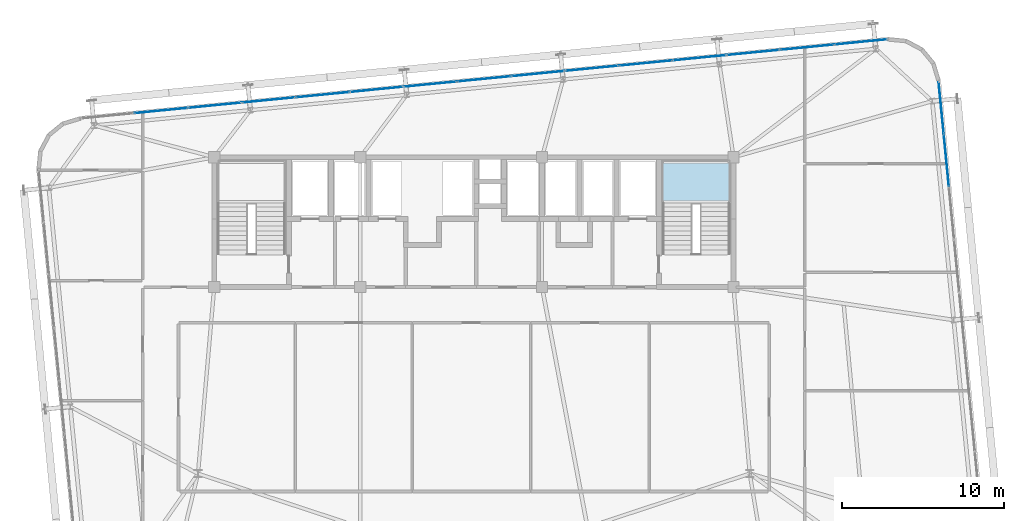
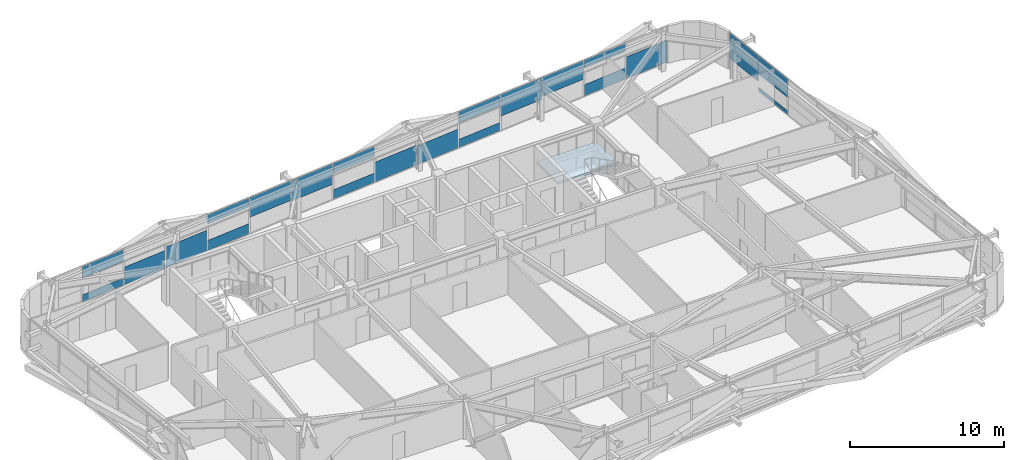
# One storey, part 37 of 52: 22 plates, 1 slab, 3 elements without a shape of their own.
"""IFC4 building model written with IfcOpenShell, lengths in metres."""

import ifcopenshell
import ifcopenshell.guid

model = None  # the IFC model being written
_history = None  # IfcOwnerHistory: only IFC2X3 demands one
_inside = {}  # id of a spatial element -> (the spatial element, [elements in it])
_under = {}  # id of a project, library or spatial element -> (it, [spatial elements below it])
_declared = {}  # id of a project -> (the project, [libraries it declares])
_typed = {}  # id of a type object -> (the type object, [elements of that type])
_made_of = {}  # id of a material, layer set ... -> (it, [elements and type objects made of it])


def new_model(schema):
    """Start an empty IFC model of exactly this schema.

    Asked for "IFC4X3", IfcOpenShell would pick the latest addendum, in which some entities
    have other attributes; the version numbers below select the first issue.
    IFC2X3 requires an IfcOwnerHistory on every rooted entity: one is made here for all.
    """
    global model, _history
    if schema == "IFC4X3":
        model = ifcopenshell.file(schema_version=(4, 3, 0, 0))
    else:
        model = ifcopenshell.file(schema=schema)
    _inside.clear()
    _under.clear()
    _declared.clear()
    _typed.clear()
    _made_of.clear()
    _history = None
    if model.schema == "IFC2X3":
        org = make("IfcOrganization", Name="unknown")
        user = make(
            "IfcPersonAndOrganization",
            ThePerson=make("IfcPerson", FamilyName="unknown"),
            TheOrganization=org,
        )
        app = make(
            "IfcApplication",
            ApplicationDeveloper=org,
            Version="unknown",
            ApplicationFullName="unknown",
            ApplicationIdentifier="unknown",
        )
        _history = make(
            "IfcOwnerHistory",
            OwningUser=user,
            OwningApplication=app,
            ChangeAction="ADDED",
            CreationDate=0,
        )
    return model


def make(cls, **values):
    """One entity of the class cls with the attributes given. An attribute that is None is left unset."""
    return model.create_entity(
        cls, **{name: value for name, value in values.items() if value is not None}
    )


def rooted(cls, **values):
    """An entity with a GlobalId (a new one), such as an element, a storey or a relation."""
    return make(cls, GlobalId=ifcopenshell.guid.new(), OwnerHistory=_history, **values)


def si_unit(unit_type, name, prefix=None):
    """IfcSIUnit, for example si_unit("LENGTHUNIT", "METRE", prefix="MILLI")."""
    return make("IfcSIUnit", UnitType=unit_type, Prefix=prefix, Name=name)


def assignment(units):
    """IfcUnitAssignment: the units of a project."""
    return None if units is None else make("IfcUnitAssignment", Units=units)


def point(xyz):
    """IfcCartesianPoint."""
    return None if xyz is None else make("IfcCartesianPoint", Coordinates=xyz)


def direction(xyz):
    """IfcDirection."""
    return None if xyz is None else make("IfcDirection", DirectionRatios=xyz)


def frame(location, z_axis=None, x_axis=None):
    """IfcAxis2Placement3D, a coordinate frame: its origin and axes. An axis left out is left unset."""
    return make(
        "IfcAxis2Placement3D",
        Location=point(location),
        Axis=direction(z_axis),
        RefDirection=direction(x_axis),
    )


def frame_2d(location, x_axis=None):
    """IfcAxis2Placement2D, a coordinate frame in the plane: its origin and x axis."""
    return make(
        "IfcAxis2Placement2D", Location=point(location), RefDirection=direction(x_axis)
    )


def origin():
    """The frame at (0, 0, 0) with its axes left unset."""
    return frame((0.0, 0.0, 0.0))


def origin_2d():
    """The frame at (0, 0) in the plane with its x axis left unset."""
    return frame_2d((0.0, 0.0))


def place(relative_to, where):
    """IfcLocalPlacement: puts the frame where relative to a parent placement (None: the world)."""
    return make(
        "IfcLocalPlacement", PlacementRelTo=relative_to, RelativePlacement=where
    )


def context(
    kind, dimensions, precision=None, world=None, true_north=None, identifier=None
):
    """IfcGeometricRepresentationContext, for example the 3D "Model" context."""
    return make(
        "IfcGeometricRepresentationContext",
        ContextIdentifier=identifier,
        ContextType=kind,
        CoordinateSpaceDimension=dimensions,
        Precision=precision,
        WorldCoordinateSystem=world,
        TrueNorth=true_north,
    )


def subcontext(parent, identifier, kind, view, scale=None):
    """IfcGeometricRepresentationSubContext, for example "Body" below "Model"."""
    return make(
        "IfcGeometricRepresentationSubContext",
        ContextIdentifier=identifier,
        ContextType=kind,
        ParentContext=parent,
        TargetScale=scale,
        TargetView=view,
    )


def project(units=None, contexts=None):
    """IfcProject with its units and contexts."""
    return rooted(
        "IfcProject",
        Name="project",
        RepresentationContexts=contexts,
        UnitsInContext=assignment(units),
    )


def spatial(cls, under=None, at=None, **own):
    """A site, building, storey or space (cls), placed at a placement, below another one or the project."""
    s = rooted(cls, ObjectPlacement=at, **own)
    if under is not None:
        _under.setdefault(under.id(), (under, []))[1].append(s)
    return s


def polyline(points):
    """IfcPolyline through the points."""
    return make("IfcPolyline", Points=[point(p) for p in points])


def profile(cls, at=None, kind="AREA", **sizes):
    """A parametric profile (cls). Its sizes go by their IFC names, for example OverallWidth=200.0."""
    return make(cls, ProfileType=kind, Position=at, **sizes)


def rectangle(**sizes):
    """IfcRectangleProfileDef."""
    return profile("IfcRectangleProfileDef", **sizes)


def outline(outer, holes=None, kind="AREA"):
    """IfcArbitraryClosedProfileDef: a profile drawn as a closed curve; with holes, ...WithVoids."""
    if holes is None:
        return make("IfcArbitraryClosedProfileDef", ProfileType=kind, OuterCurve=outer)
    return make(
        "IfcArbitraryProfileDefWithVoids",
        ProfileType=kind,
        OuterCurve=outer,
        InnerCurves=holes,
    )


def extrude(swept, where, along, depth):
    """IfcExtrudedAreaSolid: the profile swept, set in the frame where, extruded along a direction by depth."""
    return make(
        "IfcExtrudedAreaSolid",
        SweptArea=swept,
        Position=where,
        ExtrudedDirection=direction(along),
        Depth=depth,
    )


def shape(context_of_items, identifier, shape_type, items):
    """IfcShapeRepresentation: the items that make up one representation, for example the "Body"."""
    return make(
        "IfcShapeRepresentation",
        ContextOfItems=context_of_items,
        RepresentationIdentifier=identifier,
        RepresentationType=shape_type,
        Items=items,
    )


def source(mapping_origin, context_of_items, identifier, shape_type, items):
    """IfcRepresentationMap: a shape defined once, which mapped items show again and again."""
    return make(
        "IfcRepresentationMap",
        MappingOrigin=mapping_origin,
        MappedRepresentation=shape(context_of_items, identifier, shape_type, items),
    )


def transform(
    local_origin,
    x_axis=None,
    y_axis=None,
    z_axis=None,
    scale=None,
    scale2=None,
    scale3=None,
    uniform=True,
):
    """IfcCartesianTransformationOperator3D, or its non-uniform kind. x_axis, y_axis, z_axis: its Axis1, 2, 3."""
    if uniform:
        return make(
            "IfcCartesianTransformationOperator3D",
            Axis1=direction(x_axis),
            Axis2=direction(y_axis),
            LocalOrigin=point(local_origin),
            Scale=scale,
            Axis3=direction(z_axis),
        )
    return make(
        "IfcCartesianTransformationOperator3DnonUniform",
        Axis1=direction(x_axis),
        Axis2=direction(y_axis),
        LocalOrigin=point(local_origin),
        Scale=scale,
        Axis3=direction(z_axis),
        Scale2=scale2,
        Scale3=scale3,
    )


def mapped(mapping_source, mapping_target):
    """IfcMappedItem: shows the shape of a source again, moved by a transform."""
    return make(
        "IfcMappedItem", MappingSource=mapping_source, MappingTarget=mapping_target
    )


def material(Name=None, Category=None):
    """IfcMaterial."""
    return make("IfcMaterial", Name=Name, Category=Category)


def layer(
    of_material, thickness, ventilated=None, Name=None, Category=None, Priority=None
):
    """IfcMaterialLayer: one layer of a wall or slab, of a material (None: an air gap)."""
    return make(
        "IfcMaterialLayer",
        Material=of_material,
        LayerThickness=thickness,
        IsVentilated=ventilated,
        Name=Name,
        Category=Category,
        Priority=Priority,
    )


def layer_set(layers, Name=None):
    """IfcMaterialLayerSet."""
    return make("IfcMaterialLayerSet", MaterialLayers=layers, LayerSetName=Name)


def made_of(thing, what):
    """Note that an element or type object is made of a material, layer set ...; save() writes the relation."""
    if what is not None:
        _made_of.setdefault(what.id(), (what, []))[1].append(thing)
    return thing


def type_object(cls, material=None, **own):
    """A type object (cls), such as IfcWallType, which elements share."""
    return made_of(rooted(cls, **own), material)


def element(
    cls,
    number,
    at=None,
    inside=None,
    cuts=None,
    type_object=None,
    material=None,
    context=None,
    identifier="Body",
    shape_type=None,
    held_by="IfcProductDefinitionShape",
    body=None,
    shapes=None,
    **own,
):
    """One element of the class cls, such as IfcWall. Its Tag is "e" and its number.

    at: its placement. inside: the storey or other place that contains it. cuts: it is an
    opening in that element (IfcRelVoidsElement). A single representation is given by context,
    identifier, shape_type and body (its items); several are given by shapes. held_by: the class
    of the entity that holds the representations. save() writes the other relations.
    """
    e = rooted(cls, Tag="e%d" % number, ObjectPlacement=at, **own)
    if body is not None:
        shapes = [shape(context, identifier, shape_type, body)]
    if shapes is not None:
        e.Representation = make(held_by, Representations=shapes)
    if inside is not None:
        _inside.setdefault(inside.id(), (inside, []))[1].append(e)
    if cuts is not None:
        rooted(
            "IfcRelVoidsElement", RelatingBuildingElement=cuts, RelatedOpeningElement=e
        )
    if type_object is not None:
        _typed.setdefault(type_object.id(), (type_object, []))[1].append(e)
    return made_of(e, material)


def aggregate(whole, parts):
    """IfcRelAggregates: a whole, such as a stair, and the parts it consists of."""
    return rooted("IfcRelAggregates", RelatingObject=whole, RelatedObjects=parts)


def save(model, path):
    """Write the relations noted so far, then the file.

    IfcRelAggregates (storeys below a building ...), IfcRelContainedInSpatialStructure (elements
    in a storey), IfcRelDefinesByType, IfcRelAssociatesMaterial and IfcRelDeclares: one each for
    every whole, place, type object, material and project.
    """
    for whole, parts in _under.values():
        aggregate(whole, parts)
    for where, things in _inside.values():
        rooted(
            "IfcRelContainedInSpatialStructure",
            RelatedElements=things,
            RelatingStructure=where,
        )
    for kind, things in _typed.values():
        rooted("IfcRelDefinesByType", RelatedObjects=things, RelatingType=kind)
    for what, things in _made_of.values():
        rooted("IfcRelAssociatesMaterial", RelatedObjects=things, RelatingMaterial=what)
    for by, libraries in _declared.values():
        rooted("IfcRelDeclares", RelatingContext=by, RelatedDefinitions=libraries)
    model.write(path)


model = new_model("IFC4")

# Units and contexts
model_context = context("Model", 3, precision=1e-05, world=origin(), true_north=direction((0.0, 1.0)))
body_context = subcontext(model_context, "Body", "Model", "MODEL_VIEW")
ifc_project = project(units=[si_unit("LENGTHUNIT", "METRE"), si_unit("AREAUNIT", "SQUARE_METRE"), si_unit("VOLUMEUNIT", "CUBIC_METRE"), si_unit("PLANEANGLEUNIT", "RADIAN"), si_unit("MASSUNIT", "GRAM", prefix="KILO")], contexts=[model_context])

# Site, building, storey
site_placement = place(None, origin())
site = spatial("IfcSite", under=ifc_project, at=site_placement, CompositionType="ELEMENT")
building_placement = place(site_placement, origin())
building = spatial("IfcBuilding", under=site, at=building_placement, Name="Taldren Reach Tower", CompositionType="ELEMENT")
storey_placement = place(building_placement, frame((0.0, 0.0, 93.449951171875)))
storey = spatial("IfcBuildingStorey", under=building, at=storey_placement, Name="L28", CompositionType="ELEMENT", Elevation=93.449951171875)

# Stair, slab
ifc_material_1 = material(Name="Concrete S50 (50 MPa)", Category="concrete")
stair_type = type_object("IfcStairType", Name="ST-HT-315", PredefinedType="HALF_TURN_STAIR", material=ifc_material_1)
stair_placement = place(storey_placement, origin())
stair = element("IfcStair", 1, at=stair_placement, inside=storey, type_object=stair_type, Name="Fire-isolated exit stair ST2 L28", PredefinedType="HALF_TURN_STAIR")
ifc_layer_1 = layer(ifc_material_1, 0.179931640625)
ifc_layer_set_1 = layer_set([ifc_layer_1], Name="Concrete S50 (50 MPa)")
slab_type = type_object("IfcSlabType", Name="SL-LAND-180", PredefinedType="LANDING", material=ifc_layer_set_1)
slab_placement = place(storey_placement, frame((0.0, 0.0, 1.39501953125)))
slab = element("IfcSlab", 2, at=slab_placement, type_object=slab_type, Name="ST2 landing 1", PredefinedType="LANDING", context=body_context, shape_type="SweptSolid", body=[
    extrude(outline(polyline([(46.43994140625, 29.135009765625), (50.9599609375, 29.135009765625), (50.9599609375, 31.8701171875), (46.43994140625, 31.8701171875), (46.43994140625, 29.135009765625)])), origin(), (0.0, 0.0, 1.0), 0.179931640625),
])
aggregate(stair, [slab])

# Curtain wall, plates
ifc_material_2 = material(Name="Aluminium and Low-E Glass Unitised System", Category="aluminium")
ifc_layer_2 = layer(ifc_material_2, 0.159912109375)
ifc_layer_set_2 = layer_set([ifc_layer_2], Name="Aluminium and Low-E Glass Unitised System")
curtain_wall_type = type_object("IfcCurtainWallType", Name="CW-SYS-3", PredefinedType="NOTDEFINED", material=ifc_layer_set_2)
curtain_wall_1_placement = place(storey_placement, origin())
curtain_wall_1 = element("IfcCurtainWall", 3, at=curtain_wall_1_placement, inside=storey, type_object=curtain_wall_type, Name="Unitised curtain wall CW-L28-N", PredefinedType="NOTDEFINED")
ifc_material_3 = material(Name="Solar-Control Double Glazed IGU", Category="glass")
ifc_layer_3 = layer(ifc_material_3, 0.031982421875)
ifc_layer_set_3 = layer_set([ifc_layer_3], Name="Solar-Control Double Glazed IGU")
plate_type = type_object("IfcPlateType", Name="CW-PNL-IGU32", PredefinedType="CURTAIN_PANEL", material=ifc_layer_set_3)
shared_shape_1 = source(origin(), body_context, "Body", "SweptSolid", [
    extrude(rectangle(XDim=3.23583984375, YDim=0.031982421875, at=origin_2d()), origin(), (0.0, 0.0, 1.0), 1.72509765625),
])
plate_1_placement = place(storey_placement, frame((58.83740234375, 39.101318359375, 0.054931640625), z_axis=(0.0, 0.0, 1.0), x_axis=(-0.995227390247, -0.097582999046, 0.0)))
plate_1 = element("IfcPlate", 4, at=plate_1_placement, type_object=plate_type, Name="CW-3 panel 1.1 part 1", PredefinedType="CURTAIN_PANEL", context=body_context, shape_type="MappedRepresentation", body=[
    mapped(shared_shape_1, transform((0.0, 0.0, 0.0), scale=1.0)),
])
shared_shape_2 = source(origin(), body_context, "Body", "SweptSolid", [
    extrude(rectangle(XDim=3.268310546875, YDim=0.031982421875, at=origin_2d()), origin(), (0.0, 0.0, 1.0), 0.88818359375),
])
plate_2_placement = place(storey_placement, frame((55.5361328125, 38.777587890625, 0.05517578125), z_axis=(0.0, 0.0, 1.0), x_axis=(-0.995227390247, -0.097582999046, 0.0)))
plate_2 = element("IfcPlate", 5, at=plate_2_placement, type_object=plate_type, Name="CW-3 panel 2.1 part 1", PredefinedType="CURTAIN_PANEL", context=body_context, shape_type="MappedRepresentation", body=[
    mapped(shared_shape_2, transform((0.0, 0.0, 0.0), scale=1.0)),
])
shared_shape_3 = source(origin(), body_context, "Body", "SweptSolid", [
    extrude(rectangle(XDim=3.268310546875, YDim=0.031982421875, at=origin_2d()), origin(), (0.0, 0.0, 1.0), 0.626953125),
])
plate_3_placement = place(storey_placement, frame((55.5361328125, 38.777587890625, 2.248046875), z_axis=(0.0, 0.0, 1.0), x_axis=(-0.995227390247, -0.097582999046, 0.0)))
plate_3 = element("IfcPlate", 6, at=plate_3_placement, type_object=plate_type, Name="CW-3 panel 2.1 part 2", PredefinedType="CURTAIN_PANEL", context=body_context, shape_type="MappedRepresentation", body=[
    mapped(shared_shape_3, transform((0.0, 0.0, 0.0), scale=1.0)),
])
shared_shape_4 = source(origin(), body_context, "Body", "SweptSolid", [
    extrude(rectangle(XDim=3.268310546875, YDim=0.031982421875, at=origin_2d()), origin(), (0.0, 0.0, 1.0), 1.4638671875),
])
plate_4_placement = place(storey_placement, frame((52.21875, 38.452392578125, 1.4111328125), z_axis=(0.0, 0.0, 1.0), x_axis=(-0.995227390247, -0.097582999046, 0.0)))
plate_4 = element("IfcPlate", 7, at=plate_4_placement, type_object=plate_type, Name="CW-3 panel 3.1 part 1", PredefinedType="CURTAIN_PANEL", context=body_context, shape_type="MappedRepresentation", body=[
    mapped(shared_shape_4, transform((0.0, 0.0, 0.0), scale=1.0)),
])
shared_shape_5 = source(origin(), body_context, "Body", "SweptSolid", [
    extrude(rectangle(XDim=3.268310546875, YDim=0.031982421875, at=origin_2d()), origin(), (0.0, 0.0, 1.0), 1.704833984375),
])
plate_5_placement = place(storey_placement, frame((48.9013671875, 38.126953125, 1.17041015625), z_axis=(0.0, 0.0, 1.0), x_axis=(-0.995227390247, -0.097582999046, 0.0)))
plate_5 = element("IfcPlate", 8, at=plate_5_placement, type_object=plate_type, Name="CW-3 panel 4.1 part 1", PredefinedType="CURTAIN_PANEL", context=body_context, shape_type="MappedRepresentation", body=[
    mapped(shared_shape_5, transform((0.0, 0.0, 0.0), scale=1.0)),
])
shared_shape_6 = source(origin(), body_context, "Body", "SweptSolid", [
    extrude(rectangle(XDim=3.268310546875, YDim=0.031982421875, at=origin_2d()), origin(), (0.0, 0.0, 1.0), 0.647216796875),
])
plate_6_placement = place(storey_placement, frame((45.583740234375, 37.8017578125, 0.05517578125), z_axis=(0.0, 0.0, 1.0), x_axis=(-0.995227390247, -0.097582999046, 0.0)))
plate_6 = element("IfcPlate", 9, at=plate_6_placement, type_object=plate_type, Name="CW-3 panel 5.1 part 1", PredefinedType="CURTAIN_PANEL", context=body_context, shape_type="MappedRepresentation", body=[
    mapped(shared_shape_6, transform((0.0, 0.0, 0.0), scale=1.0)),
])
shared_shape_7 = source(origin(), body_context, "Body", "SweptSolid", [
    extrude(rectangle(XDim=3.268310546875, YDim=0.031982421875, at=origin_2d()), origin(), (0.0, 0.0, 1.0), 0.867919921875),
])
plate_7_placement = place(storey_placement, frame((45.583740234375, 37.8017578125, 2.00732421875), z_axis=(0.0, 0.0, 1.0), x_axis=(-0.995227390247, -0.097582999046, 0.0)))
plate_7 = element("IfcPlate", 10, at=plate_7_placement, type_object=plate_type, Name="CW-3 panel 5.1 part 2", PredefinedType="CURTAIN_PANEL", context=body_context, shape_type="MappedRepresentation", body=[
    mapped(shared_shape_7, transform((0.0, 0.0, 0.0), scale=1.0)),
])
shared_shape_8 = source(origin(), body_context, "Body", "SweptSolid", [
    extrude(rectangle(XDim=3.268310546875, YDim=0.031982421875, at=origin_2d()), origin(), (0.0, 0.0, 1.0), 1.484130859375),
])
plate_8_placement = place(storey_placement, frame((42.266357421875, 37.4765625, 0.05517578125), z_axis=(0.0, 0.0, 1.0), x_axis=(-0.995227390247, -0.097582999046, 0.0)))
plate_8 = element("IfcPlate", 11, at=plate_8_placement, type_object=plate_type, Name="CW-3 panel 6.1 part 1", PredefinedType="CURTAIN_PANEL", context=body_context, shape_type="MappedRepresentation", body=[
    mapped(shared_shape_8, transform((0.0, 0.0, 0.0), scale=1.0)),
])
shared_shape_9 = source(origin(), body_context, "Body", "SweptSolid", [
    extrude(rectangle(XDim=3.268310546875, YDim=0.031982421875, at=origin_2d()), origin(), (0.0, 0.0, 1.0), 1.564453125),
])
plate_9_placement = place(storey_placement, frame((38.948974609375, 37.151123046875, 0.054931640625), z_axis=(0.0, 0.0, 1.0), x_axis=(-0.995227390247, -0.097582999046, 0.0)))
plate_9 = element("IfcPlate", 12, at=plate_9_placement, type_object=plate_type, Name="CW-3 panel 7.1 part 1", PredefinedType="CURTAIN_PANEL", context=body_context, shape_type="MappedRepresentation", body=[
    mapped(shared_shape_9, transform((0.0, 0.0, 0.0), scale=1.0)),
])
shared_shape_10 = source(origin(), body_context, "Body", "SweptSolid", [
    extrude(rectangle(XDim=3.268310546875, YDim=0.031982421875, at=origin_2d()), origin(), (0.0, 0.0, 1.0), 0.7275390625),
])
plate_10_placement = place(storey_placement, frame((35.631591796875, 36.825927734375, 0.05517578125), z_axis=(0.0, 0.0, 1.0), x_axis=(-0.995227390247, -0.097582999046, 0.0)))
plate_10 = element("IfcPlate", 13, at=plate_10_placement, type_object=plate_type, Name="CW-3 panel 8.1 part 1", PredefinedType="CURTAIN_PANEL", context=body_context, shape_type="MappedRepresentation", body=[
    mapped(shared_shape_10, transform((0.0, 0.0, 0.0), scale=1.0)),
])
shared_shape_11 = source(origin(), body_context, "Body", "SweptSolid", [
    extrude(rectangle(XDim=3.268310546875, YDim=0.031982421875, at=origin_2d()), origin(), (0.0, 0.0, 1.0), 0.78759765625),
])
plate_11_placement = place(storey_placement, frame((35.631591796875, 36.825927734375, 2.08740234375), z_axis=(0.0, 0.0, 1.0), x_axis=(-0.995227390247, -0.097582999046, 0.0)))
plate_11 = element("IfcPlate", 14, at=plate_11_placement, type_object=plate_type, Name="CW-3 panel 8.1 part 2", PredefinedType="CURTAIN_PANEL", context=body_context, shape_type="MappedRepresentation", body=[
    mapped(shared_shape_11, transform((0.0, 0.0, 0.0), scale=1.0)),
])
shared_shape_12 = source(origin(), body_context, "Body", "SweptSolid", [
    extrude(rectangle(XDim=3.268310546875, YDim=0.031982421875, at=origin_2d()), origin(), (0.0, 0.0, 1.0), 1.62451171875),
])
plate_12_placement = place(storey_placement, frame((32.314208984375, 36.500732421875, 1.25048828125), z_axis=(0.0, 0.0, 1.0), x_axis=(-0.995227390247, -0.097582999046, 0.0)))
plate_12 = element("IfcPlate", 15, at=plate_12_placement, type_object=plate_type, Name="CW-3 panel 9.1 part 1", PredefinedType="CURTAIN_PANEL", context=body_context, shape_type="MappedRepresentation", body=[
    mapped(shared_shape_12, transform((0.0, 0.0, 0.0), scale=1.0)),
])
shared_shape_13 = source(origin(), body_context, "Body", "SweptSolid", [
    extrude(rectangle(XDim=3.268310546875, YDim=0.031982421875, at=origin_2d()), origin(), (0.0, 0.0, 1.0), 1.544189453125),
])
plate_13_placement = place(storey_placement, frame((28.996826171875, 36.17529296875, 1.3310546875), z_axis=(0.0, 0.0, 1.0), x_axis=(-0.995227390247, -0.097582999046, 0.0)))
plate_13 = element("IfcPlate", 16, at=plate_13_placement, type_object=plate_type, Name="CW-3 panel 10.1 part 1", PredefinedType="CURTAIN_PANEL", context=body_context, shape_type="MappedRepresentation", body=[
    mapped(shared_shape_13, transform((0.0, 0.0, 0.0), scale=1.0)),
])
shared_shape_14 = source(origin(), body_context, "Body", "SweptSolid", [
    extrude(rectangle(XDim=3.268310546875, YDim=0.031982421875, at=origin_2d()), origin(), (0.0, 0.0, 1.0), 0.807861328125),
])
plate_14_placement = place(storey_placement, frame((25.67919921875, 35.85009765625, 0.05517578125), z_axis=(0.0, 0.0, 1.0), x_axis=(-0.995227390247, -0.097582999046, 0.0)))
plate_14 = element("IfcPlate", 17, at=plate_14_placement, type_object=plate_type, Name="CW-3 panel 11.1 part 1", PredefinedType="CURTAIN_PANEL", context=body_context, shape_type="MappedRepresentation", body=[
    mapped(shared_shape_14, transform((0.0, 0.0, 0.0), scale=1.0)),
])
shared_shape_15 = source(origin(), body_context, "Body", "SweptSolid", [
    extrude(rectangle(XDim=3.268310546875, YDim=0.031982421875, at=origin_2d()), origin(), (0.0, 0.0, 1.0), 0.707275390625),
])
plate_15_placement = place(storey_placement, frame((25.67919921875, 35.85009765625, 2.16796875), z_axis=(0.0, 0.0, 1.0), x_axis=(-0.995227390247, -0.097582999046, 0.0)))
plate_15 = element("IfcPlate", 18, at=plate_15_placement, type_object=plate_type, Name="CW-3 panel 11.1 part 2", PredefinedType="CURTAIN_PANEL", context=body_context, shape_type="MappedRepresentation", body=[
    mapped(shared_shape_15, transform((0.0, 0.0, 0.0), scale=1.0)),
])
shared_shape_16 = source(origin(), body_context, "Body", "SweptSolid", [
    extrude(rectangle(XDim=3.268310546875, YDim=0.031982421875, at=origin_2d()), origin(), (0.0, 0.0, 1.0), 1.644775390625),
])
plate_16_placement = place(storey_placement, frame((22.36181640625, 35.52490234375, 0.05517578125), z_axis=(0.0, 0.0, 1.0), x_axis=(-0.995227390247, -0.097582999046, 0.0)))
plate_16 = element("IfcPlate", 19, at=plate_16_placement, type_object=plate_type, Name="CW-3 panel 12.1 part 1", PredefinedType="CURTAIN_PANEL", context=body_context, shape_type="MappedRepresentation", body=[
    mapped(shared_shape_16, transform((0.0, 0.0, 0.0), scale=1.0)),
])
shared_shape_17 = source(origin(), body_context, "Body", "SweptSolid", [
    extrude(rectangle(XDim=3.268310546875, YDim=0.031982421875, at=origin_2d()), origin(), (0.0, 0.0, 1.0), 1.40380859375),
])
plate_17_placement = place(storey_placement, frame((19.04443359375, 35.199462890625, 0.054931640625), z_axis=(0.0, 0.0, 1.0), x_axis=(-0.995227390247, -0.097582999046, 0.0)))
plate_17 = element("IfcPlate", 20, at=plate_17_placement, type_object=plate_type, Name="CW-3 panel 13.1 part 1", PredefinedType="CURTAIN_PANEL", context=body_context, shape_type="MappedRepresentation", body=[
    mapped(shared_shape_17, transform((0.0, 0.0, 0.0), scale=1.0)),
])
shared_shape_18 = source(origin(), body_context, "Body", "SweptSolid", [
    extrude(rectangle(XDim=3.268310546875, YDim=0.031982421875, at=origin_2d()), origin(), (0.0, 0.0, 1.0), 0.56689453125),
])
plate_18_placement = place(storey_placement, frame((15.72705078125, 34.874267578125, 0.05517578125), z_axis=(0.0, 0.0, 1.0), x_axis=(-0.995227390247, -0.097582999046, 0.0)))
plate_18 = element("IfcPlate", 21, at=plate_18_placement, type_object=plate_type, Name="CW-3 panel 14.1 part 1", PredefinedType="CURTAIN_PANEL", context=body_context, shape_type="MappedRepresentation", body=[
    mapped(shared_shape_18, transform((0.0, 0.0, 0.0), scale=1.0)),
])
shared_shape_19 = source(origin(), body_context, "Body", "SweptSolid", [
    extrude(rectangle(XDim=3.268310546875, YDim=0.031982421875, at=origin_2d()), origin(), (0.0, 0.0, 1.0), 0.9482421875),
])
plate_19_placement = place(storey_placement, frame((15.72705078125, 34.874267578125, 1.9267578125), z_axis=(0.0, 0.0, 1.0), x_axis=(-0.995227390247, -0.097582999046, 0.0)))
plate_19 = element("IfcPlate", 22, at=plate_19_placement, type_object=plate_type, Name="CW-3 panel 14.1 part 2", PredefinedType="CURTAIN_PANEL", context=body_context, shape_type="MappedRepresentation", body=[
    mapped(shared_shape_19, transform((0.0, 0.0, 0.0), scale=1.0)),
])
aggregate(curtain_wall_1, [plate_1, plate_2, plate_3, plate_4, plate_5, plate_6, plate_7, plate_8, plate_9, plate_10, plate_11, plate_12, plate_13, plate_14, plate_15, plate_16, plate_17, plate_18, plate_19])

curtain_wall_2_placement = place(storey_placement, origin())
curtain_wall_2 = element("IfcCurtainWall", 23, at=curtain_wall_2_placement, inside=storey, type_object=curtain_wall_type, Name="Unitised curtain wall CW-L28-E", PredefinedType="NOTDEFINED")
shared_shape_20 = source(origin(), body_context, "Body", "SweptSolid", [
    extrude(rectangle(XDim=3.18017578125, YDim=0.031982421875, at=origin_2d()), origin(), (0.0, 0.0, 1.0), 2.049560546875),
])
plate_20_placement = place(storey_placement, frame((63.79931640625, 35.051025390625, 0.82568359375), z_axis=(0.0, 0.0, 1.0), x_axis=(-0.09758274098, 0.99522741555, 0.0)))
plate_20 = element("IfcPlate", 24, at=plate_20_placement, type_object=plate_type, Name="CW-3 panel 9.1 part 1", PredefinedType="CURTAIN_PANEL", context=body_context, shape_type="MappedRepresentation", body=[
    mapped(shared_shape_20, transform((0.0, 0.0, 0.0), scale=1.0)),
])
shared_shape_21 = source(origin(), body_context, "Body", "SweptSolid", [
    extrude(rectangle(XDim=3.212890625, YDim=0.031982421875, at=origin_2d()), origin(), (0.0, 0.0, 1.0), 0.3046875),
])
plate_21_placement = place(storey_placement, frame((64.117431640625, 31.80517578125, 0.05517578125), z_axis=(0.0, 0.0, 1.0), x_axis=(-0.09758274098, 0.99522741555, 0.0)))
plate_21 = element("IfcPlate", 25, at=plate_21_placement, type_object=plate_type, Name="CW-3 panel 8.1 part 1", PredefinedType="CURTAIN_PANEL", context=body_context, shape_type="MappedRepresentation", body=[
    mapped(shared_shape_21, transform((0.0, 0.0, 0.0), scale=1.0)),
])
shared_shape_22 = source(origin(), body_context, "Body", "SweptSolid", [
    extrude(rectangle(XDim=3.212890625, YDim=0.031982421875, at=origin_2d()), origin(), (0.0, 0.0, 1.0), 1.461669921875),
])
plate_22_placement = place(storey_placement, frame((64.117431640625, 31.80517578125, 1.41357421875), z_axis=(0.0, 0.0, 1.0), x_axis=(-0.09758274098, 0.99522741555, 0.0)))
plate_22 = element("IfcPlate", 26, at=plate_22_placement, type_object=plate_type, Name="CW-3 panel 8.1 part 2", PredefinedType="CURTAIN_PANEL", context=body_context, shape_type="MappedRepresentation", body=[
    mapped(shared_shape_22, transform((0.0, 0.0, 0.0), scale=1.0)),
])
aggregate(curtain_wall_2, [plate_21, plate_22, plate_20])

save(model, "model.ifc")
